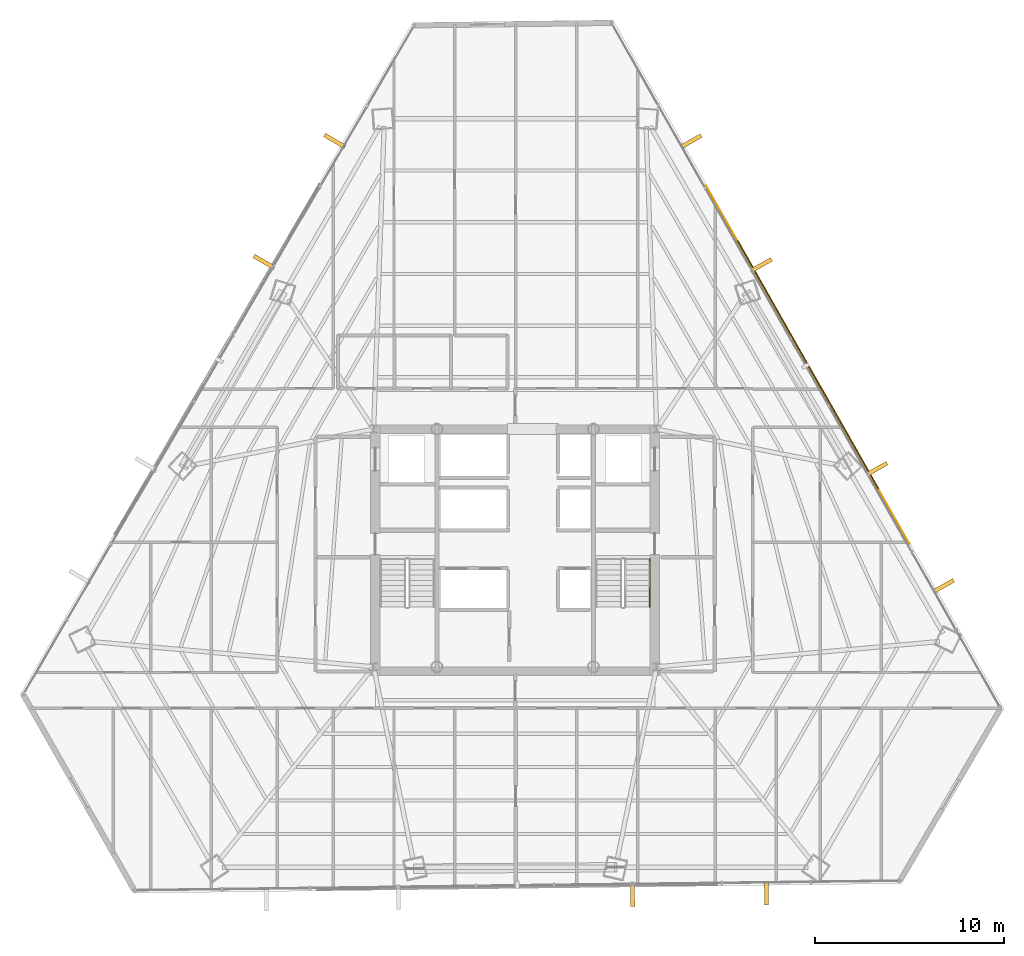
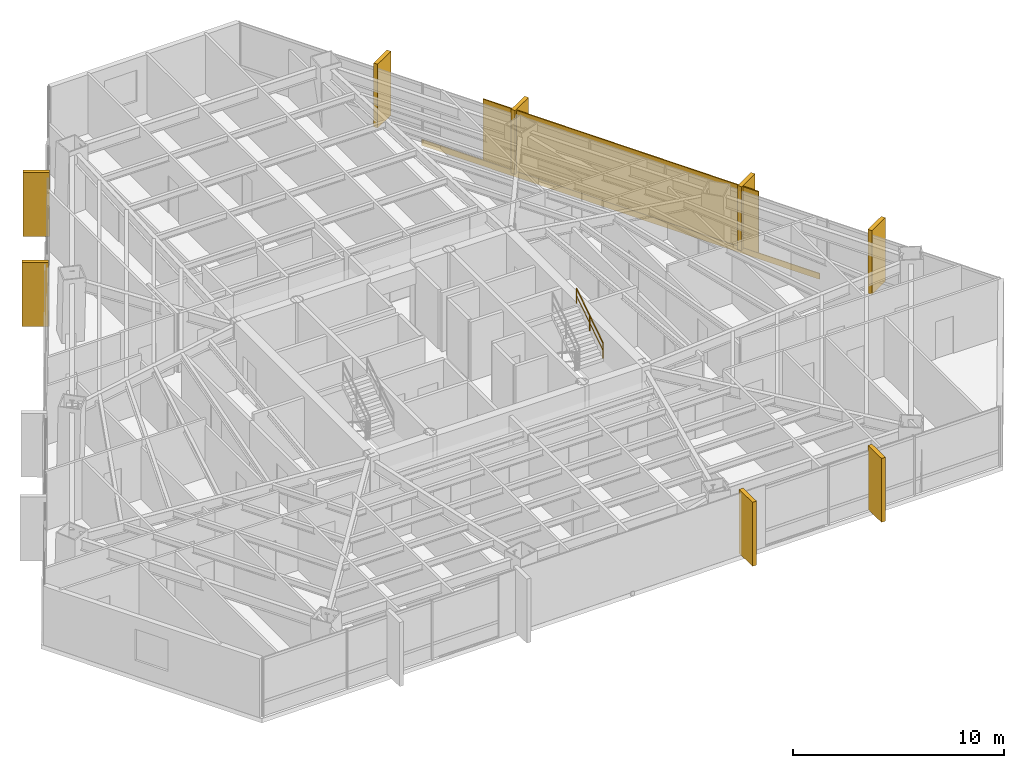
# One storey, part 35 of 35: 9 coverings, 1 railing, 1 shading device.
"""IFC4 building model written with IfcOpenShell, lengths in metres."""

import ifcopenshell
import ifcopenshell.guid

model = None  # the IFC model being written
_history = None  # IfcOwnerHistory: only IFC2X3 demands one
_inside = {}  # id of a spatial element -> (the spatial element, [elements in it])
_under = {}  # id of a project, library or spatial element -> (it, [spatial elements below it])
_declared = {}  # id of a project -> (the project, [libraries it declares])
_typed = {}  # id of a type object -> (the type object, [elements of that type])
_made_of = {}  # id of a material, layer set ... -> (it, [elements and type objects made of it])


def new_model(schema):
    """Start an empty IFC model of exactly this schema.

    Asked for "IFC4X3", IfcOpenShell would pick the latest addendum, in which some entities
    have other attributes; the version numbers below select the first issue.
    IFC2X3 requires an IfcOwnerHistory on every rooted entity: one is made here for all.
    """
    global model, _history
    if schema == "IFC4X3":
        model = ifcopenshell.file(schema_version=(4, 3, 0, 0))
    else:
        model = ifcopenshell.file(schema=schema)
    _inside.clear()
    _under.clear()
    _declared.clear()
    _typed.clear()
    _made_of.clear()
    _history = None
    if model.schema == "IFC2X3":
        org = make("IfcOrganization", Name="unknown")
        user = make(
            "IfcPersonAndOrganization",
            ThePerson=make("IfcPerson", FamilyName="unknown"),
            TheOrganization=org,
        )
        app = make(
            "IfcApplication",
            ApplicationDeveloper=org,
            Version="unknown",
            ApplicationFullName="unknown",
            ApplicationIdentifier="unknown",
        )
        _history = make(
            "IfcOwnerHistory",
            OwningUser=user,
            OwningApplication=app,
            ChangeAction="ADDED",
            CreationDate=0,
        )
    return model


def make(cls, **values):
    """One entity of the class cls with the attributes given. An attribute that is None is left unset."""
    return model.create_entity(
        cls, **{name: value for name, value in values.items() if value is not None}
    )


def rooted(cls, **values):
    """An entity with a GlobalId (a new one), such as an element, a storey or a relation."""
    return make(cls, GlobalId=ifcopenshell.guid.new(), OwnerHistory=_history, **values)


def si_unit(unit_type, name, prefix=None):
    """IfcSIUnit, for example si_unit("LENGTHUNIT", "METRE", prefix="MILLI")."""
    return make("IfcSIUnit", UnitType=unit_type, Prefix=prefix, Name=name)


def assignment(units):
    """IfcUnitAssignment: the units of a project."""
    return None if units is None else make("IfcUnitAssignment", Units=units)


def point(xyz):
    """IfcCartesianPoint."""
    return None if xyz is None else make("IfcCartesianPoint", Coordinates=xyz)


def direction(xyz):
    """IfcDirection."""
    return None if xyz is None else make("IfcDirection", DirectionRatios=xyz)


def frame(location, z_axis=None, x_axis=None):
    """IfcAxis2Placement3D, a coordinate frame: its origin and axes. An axis left out is left unset."""
    return make(
        "IfcAxis2Placement3D",
        Location=point(location),
        Axis=direction(z_axis),
        RefDirection=direction(x_axis),
    )


def frame_2d(location, x_axis=None):
    """IfcAxis2Placement2D, a coordinate frame in the plane: its origin and x axis."""
    return make(
        "IfcAxis2Placement2D", Location=point(location), RefDirection=direction(x_axis)
    )


def origin():
    """The frame at (0, 0, 0) with its axes left unset."""
    return frame((0.0, 0.0, 0.0))


def origin_2d():
    """The frame at (0, 0) in the plane with its x axis left unset."""
    return frame_2d((0.0, 0.0))


def place(relative_to, where):
    """IfcLocalPlacement: puts the frame where relative to a parent placement (None: the world)."""
    return make(
        "IfcLocalPlacement", PlacementRelTo=relative_to, RelativePlacement=where
    )


def context(
    kind, dimensions, precision=None, world=None, true_north=None, identifier=None
):
    """IfcGeometricRepresentationContext, for example the 3D "Model" context."""
    return make(
        "IfcGeometricRepresentationContext",
        ContextIdentifier=identifier,
        ContextType=kind,
        CoordinateSpaceDimension=dimensions,
        Precision=precision,
        WorldCoordinateSystem=world,
        TrueNorth=true_north,
    )


def subcontext(parent, identifier, kind, view, scale=None):
    """IfcGeometricRepresentationSubContext, for example "Body" below "Model"."""
    return make(
        "IfcGeometricRepresentationSubContext",
        ContextIdentifier=identifier,
        ContextType=kind,
        ParentContext=parent,
        TargetScale=scale,
        TargetView=view,
    )


def project(units=None, contexts=None):
    """IfcProject with its units and contexts."""
    return rooted(
        "IfcProject",
        Name="project",
        RepresentationContexts=contexts,
        UnitsInContext=assignment(units),
    )


def spatial(cls, under=None, at=None, **own):
    """A site, building, storey or space (cls), placed at a placement, below another one or the project."""
    s = rooted(cls, ObjectPlacement=at, **own)
    if under is not None:
        _under.setdefault(under.id(), (under, []))[1].append(s)
    return s


def profile(cls, at=None, kind="AREA", **sizes):
    """A parametric profile (cls). Its sizes go by their IFC names, for example OverallWidth=200.0."""
    return make(cls, ProfileType=kind, Position=at, **sizes)


def rectangle(**sizes):
    """IfcRectangleProfileDef."""
    return profile("IfcRectangleProfileDef", **sizes)


def extrude(swept, where, along, depth):
    """IfcExtrudedAreaSolid: the profile swept, set in the frame where, extruded along a direction by depth."""
    return make(
        "IfcExtrudedAreaSolid",
        SweptArea=swept,
        Position=where,
        ExtrudedDirection=direction(along),
        Depth=depth,
    )


def shape(context_of_items, identifier, shape_type, items):
    """IfcShapeRepresentation: the items that make up one representation, for example the "Body"."""
    return make(
        "IfcShapeRepresentation",
        ContextOfItems=context_of_items,
        RepresentationIdentifier=identifier,
        RepresentationType=shape_type,
        Items=items,
    )


def source(mapping_origin, context_of_items, identifier, shape_type, items):
    """IfcRepresentationMap: a shape defined once, which mapped items show again and again."""
    return make(
        "IfcRepresentationMap",
        MappingOrigin=mapping_origin,
        MappedRepresentation=shape(context_of_items, identifier, shape_type, items),
    )


def transform(
    local_origin,
    x_axis=None,
    y_axis=None,
    z_axis=None,
    scale=None,
    scale2=None,
    scale3=None,
    uniform=True,
):
    """IfcCartesianTransformationOperator3D, or its non-uniform kind. x_axis, y_axis, z_axis: its Axis1, 2, 3."""
    if uniform:
        return make(
            "IfcCartesianTransformationOperator3D",
            Axis1=direction(x_axis),
            Axis2=direction(y_axis),
            LocalOrigin=point(local_origin),
            Scale=scale,
            Axis3=direction(z_axis),
        )
    return make(
        "IfcCartesianTransformationOperator3DnonUniform",
        Axis1=direction(x_axis),
        Axis2=direction(y_axis),
        LocalOrigin=point(local_origin),
        Scale=scale,
        Axis3=direction(z_axis),
        Scale2=scale2,
        Scale3=scale3,
    )


def mapped(mapping_source, mapping_target):
    """IfcMappedItem: shows the shape of a source again, moved by a transform."""
    return make(
        "IfcMappedItem", MappingSource=mapping_source, MappingTarget=mapping_target
    )


def material(Name=None, Category=None):
    """IfcMaterial."""
    return make("IfcMaterial", Name=Name, Category=Category)


def layer(
    of_material, thickness, ventilated=None, Name=None, Category=None, Priority=None
):
    """IfcMaterialLayer: one layer of a wall or slab, of a material (None: an air gap)."""
    return make(
        "IfcMaterialLayer",
        Material=of_material,
        LayerThickness=thickness,
        IsVentilated=ventilated,
        Name=Name,
        Category=Category,
        Priority=Priority,
    )


def layer_set(layers, Name=None):
    """IfcMaterialLayerSet."""
    return make("IfcMaterialLayerSet", MaterialLayers=layers, LayerSetName=Name)


def made_of(thing, what):
    """Note that an element or type object is made of a material, layer set ...; save() writes the relation."""
    if what is not None:
        _made_of.setdefault(what.id(), (what, []))[1].append(thing)
    return thing


def type_object(cls, material=None, **own):
    """A type object (cls), such as IfcWallType, which elements share."""
    return made_of(rooted(cls, **own), material)


def type_shapes(of_type, sources):
    """Give a type object the sources (RepresentationMaps) that its elements show as mapped items."""
    of_type.RepresentationMaps = sources


def element(
    cls,
    number,
    at=None,
    inside=None,
    cuts=None,
    type_object=None,
    material=None,
    context=None,
    identifier="Body",
    shape_type=None,
    held_by="IfcProductDefinitionShape",
    body=None,
    shapes=None,
    **own,
):
    """One element of the class cls, such as IfcWall. Its Tag is "e" and its number.

    at: its placement. inside: the storey or other place that contains it. cuts: it is an
    opening in that element (IfcRelVoidsElement). A single representation is given by context,
    identifier, shape_type and body (its items); several are given by shapes. held_by: the class
    of the entity that holds the representations. save() writes the other relations.
    """
    e = rooted(cls, Tag="e%d" % number, ObjectPlacement=at, **own)
    if body is not None:
        shapes = [shape(context, identifier, shape_type, body)]
    if shapes is not None:
        e.Representation = make(held_by, Representations=shapes)
    if inside is not None:
        _inside.setdefault(inside.id(), (inside, []))[1].append(e)
    if cuts is not None:
        rooted(
            "IfcRelVoidsElement", RelatingBuildingElement=cuts, RelatedOpeningElement=e
        )
    if type_object is not None:
        _typed.setdefault(type_object.id(), (type_object, []))[1].append(e)
    return made_of(e, material)


def aggregate(whole, parts):
    """IfcRelAggregates: a whole, such as a stair, and the parts it consists of."""
    return rooted("IfcRelAggregates", RelatingObject=whole, RelatedObjects=parts)


def save(model, path):
    """Write the relations noted so far, then the file.

    IfcRelAggregates (storeys below a building ...), IfcRelContainedInSpatialStructure (elements
    in a storey), IfcRelDefinesByType, IfcRelAssociatesMaterial and IfcRelDeclares: one each for
    every whole, place, type object, material and project.
    """
    for whole, parts in _under.values():
        aggregate(whole, parts)
    for where, things in _inside.values():
        rooted(
            "IfcRelContainedInSpatialStructure",
            RelatedElements=things,
            RelatingStructure=where,
        )
    for kind, things in _typed.values():
        rooted("IfcRelDefinesByType", RelatedObjects=things, RelatingType=kind)
    for what, things in _made_of.values():
        rooted("IfcRelAssociatesMaterial", RelatedObjects=things, RelatingMaterial=what)
    for by, libraries in _declared.values():
        rooted("IfcRelDeclares", RelatingContext=by, RelatedDefinitions=libraries)
    model.write(path)


model = new_model("IFC4")

# Units and contexts
model_context = context("Model", 3, precision=1e-05, world=origin(), true_north=direction((0.0, 1.0)))
body_context = subcontext(model_context, "Body", "Model", "MODEL_VIEW")
ifc_project = project(units=[si_unit("LENGTHUNIT", "METRE"), si_unit("AREAUNIT", "SQUARE_METRE"), si_unit("VOLUMEUNIT", "CUBIC_METRE"), si_unit("PLANEANGLEUNIT", "RADIAN"), si_unit("MASSUNIT", "GRAM", prefix="KILO")], contexts=[model_context])

# Site, building, storey
site_placement = place(None, origin())
site = spatial("IfcSite", under=ifc_project, at=site_placement, CompositionType="ELEMENT")
building_placement = place(site_placement, origin())
building = spatial("IfcBuilding", under=site, at=building_placement, Name="Caelisora Broadcast Tower", CompositionType="ELEMENT")
storey_placement = place(building_placement, frame((0.0, 0.0, 123.64990234375)))
storey = spatial("IfcBuildingStorey", under=building, at=storey_placement, Name="L32", CompositionType="ELEMENT", Elevation=123.64990234375)

# Railing
ifc_material_1 = material(Name="Stainless Steel Grade 316 Tubular Handrail", Category="steel")
ifc_layer_1 = layer(ifc_material_1, 0.048095703125, Name="Stainless Steel Grade 316 Tubular Handrail")
ifc_layer_set_1 = layer_set([ifc_layer_1], Name="Stainless Steel Grade 316 Tubular Handrail")
railing_type = type_object("IfcRailingType", Name="HR-1", PredefinedType="HANDRAIL", material=ifc_layer_set_1)
railing_placement = place(storey_placement, frame((45.1298828125, 20.580078125, 2.007568359375)))
element("IfcRailing", 1, at=railing_placement, inside=storey, type_object=railing_type, Name="L32 ST-2 stair handrail 2", PredefinedType="HANDRAIL", context=body_context, shape_type="SweptSolid", body=[
    extrude(rectangle(XDim=0.048095703125, YDim=0.048095703125, at=origin_2d()), frame((0.0, 0.0, 0.8759765625), z_axis=(0.0, 0.837749427056, 0.546054848405), x_axis=(-1.0, 0.0, 0.0)), (0.0, 0.0, 1.0), 3.008056640625),
    extrude(rectangle(XDim=0.03125, YDim=0.03125, at=origin_2d()), frame((0.0, 0.0, 0.449951171875), z_axis=(0.0, 0.837749427056, 0.546054848405), x_axis=(-1.0, 0.0, 0.0)), (0.0, 0.0, 1.0), 3.008056640625),
    extrude(rectangle(XDim=0.0419921875, YDim=0.0419921875, at=origin_2d()), origin(), (0.0, 0.0, 1.0), 0.851806640625),
    extrude(rectangle(XDim=0.0419921875, YDim=0.0419921875, at=origin_2d()), frame((0.0, 1.260009765625, 0.8212890625)), (0.0, 0.0, 1.0), 0.851806640625),
    extrude(rectangle(XDim=0.0419921875, YDim=0.0419921875, at=origin_2d()), frame((0.0, 2.52001953125, 1.642578125)), (0.0, 0.0, 1.0), 0.851806640625),
])

# Coverings
ifc_material_2 = material(Name="Kiln-Fired Terracotta Spandrel Rainscreen Cladding", Category="ceramic")
ifc_layer_2 = layer(ifc_material_2, 0.044921875, Name="Kiln-Fired Terracotta Spandrel Rainscreen Cladding")
ifc_layer_set_2 = layer_set([ifc_layer_2], Name="Kiln-Fired Terracotta Spandrel Rainscreen Cladding")
covering_type = type_object("IfcCoveringType", Name="CL-1", PredefinedType="CLADDING", material=ifc_layer_set_2)
shared_shape_1 = source(origin(), body_context, "Body", "SweptSolid", [
    extrude(rectangle(XDim=0.219970703125, YDim=1.25, at=origin_2d()), origin(), (0.0, 0.0, 1.0), 3.68994140625),
])
for number, where, z_axis, x_axis, name in (
    (2, (47.31884765625, 45.247802734375, -0.019775390625), (0.0, 0.0, 1.0), (0.493638325511, -0.869667294767, 0.0), "L32 vertical solar fin cladding #1-1"),
    (3, (51.042724609375, 38.688232421875, -0.019775390625), (0.0, 0.0, 1.0), (0.493638325511, -0.869667294767, 0.0), "L32 vertical solar fin cladding #1-2"),
    (4, (57.173095703125, 27.889892578125, -0.019775390625), (0.0, 0.0, 1.0), (0.493638325511, -0.869667294767, 0.0), "L32 vertical solar fin cladding #1-3"),
    (5, (60.698486328125, 21.6796875, -0.019775390625), (0.0, 0.0, 1.0), (0.493638325511, -0.869667294767, 0.0), "L32 vertical solar fin cladding #1-4"),
    (6, (51.31640625, 5.40966796875, -0.019775390625), (0.0, 0.0, 1.0), (-0.999923222162, -0.012391520548, 0.0), "L32 vertical solar fin cladding #2-1"),
    (7, (44.22607421875, 5.3212890625, -0.019775390625), (0.0, 0.0, 1.0), (-0.999923222162, -0.012391520548, 0.0), "L32 vertical solar fin cladding #2-2"),
    (8, (24.689208984375, 38.8642578125, -0.019775390625), (0.0, 0.0, 1.0), (0.504527623815, 0.863395550607, 0.0), "L32 vertical solar fin cladding #3-3"),
    (9, (28.434326171875, 45.2734375, -0.019775390625), (0.0, 0.0, 1.0), (0.504527623815, 0.863395550607, 0.0), "L32 vertical solar fin cladding #3-4"),
):
    element("IfcCovering", number, at=place(storey_placement, frame(where, z_axis=z_axis, x_axis=x_axis)), inside=storey, type_object=covering_type, Name=name, PredefinedType="CLADDING", context=body_context, shape_type="MappedRepresentation", body=[
        mapped(shared_shape_1, transform((0.0, 0.0, 0.0), scale=1.0)),
    ])

# Shading device
ifc_material_3 = material(Name="Perforated Glazed Terracotta Baguette Solar Screen", Category="ceramic")
ifc_layer_3 = layer(ifc_material_3, 0.06494140625, Name="Perforated Glazed Terracotta Baguette Solar Screen")
ifc_layer_set_3 = layer_set([ifc_layer_3], Name="Perforated Glazed Terracotta Baguette Solar Screen")
shading_device_type = type_object("IfcShadingDeviceType", Name="SS-1", PredefinedType="USERDEFINED", material=ifc_layer_set_3)
shared_shape_2 = source(origin(), body_context, "Body", "SweptSolid", [
    extrude(rectangle(XDim=15.10595703125, YDim=0.06494140625, at=origin_2d()), origin(), (0.0, 0.0, 1.0), 3.590087890625),
])
type_shapes(shading_device_type, [shared_shape_2])
shading_device_placement = place(storey_placement, frame((53.517578125, 33.417236328125, 0.0), z_axis=(0.0, 0.0, 1.0), x_axis=(-0.493638325511, 0.869667294767, 0.0)))
element("IfcShadingDevice", 10, at=shading_device_placement, inside=storey, type_object=shading_device_type, Name="L32 perforated terracotta solar screen #3", ObjectType="SOLAR SCREEN", PredefinedType="USERDEFINED", context=body_context, shape_type="MappedRepresentation", body=[
    mapped(shared_shape_2, transform((0.0, 0.0, 0.0), scale=1.0)),
])

# Covering
shared_shape_3 = source(origin(), body_context, "Body", "SweptSolid", [
    extrude(rectangle(XDim=21.819091796875, YDim=0.044921875, at=origin_2d()), origin(), (0.0, 0.0, 1.0), 0.340087890625),
])
type_shapes(covering_type, [shared_shape_1, shared_shape_3])
covering_placement = place(storey_placement, frame((53.500244140625, 33.407470703125, -0.27001953125), z_axis=(0.0, 0.0, 1.0), x_axis=(-0.493638325511, 0.869667294767, 0.0)))
element("IfcCovering", 11, at=covering_placement, inside=storey, type_object=covering_type, Name="L32 terracotta spandrel rainscreen #3", PredefinedType="CLADDING", context=body_context, shape_type="MappedRepresentation", body=[
    mapped(shared_shape_3, transform((0.0, 0.0, 0.0), scale=1.0)),
])

save(model, "model.ifc")
